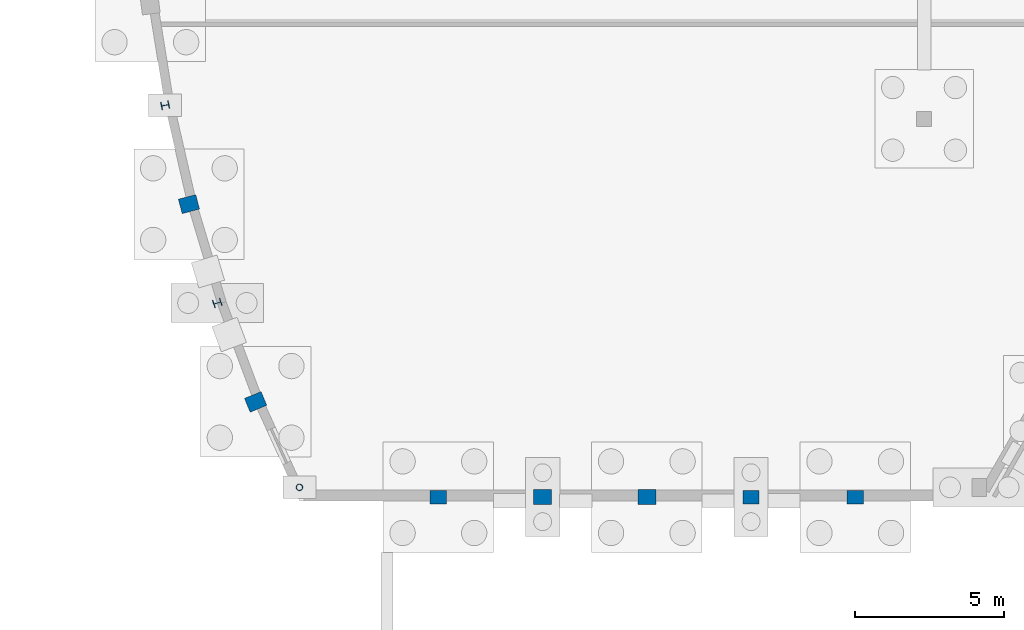
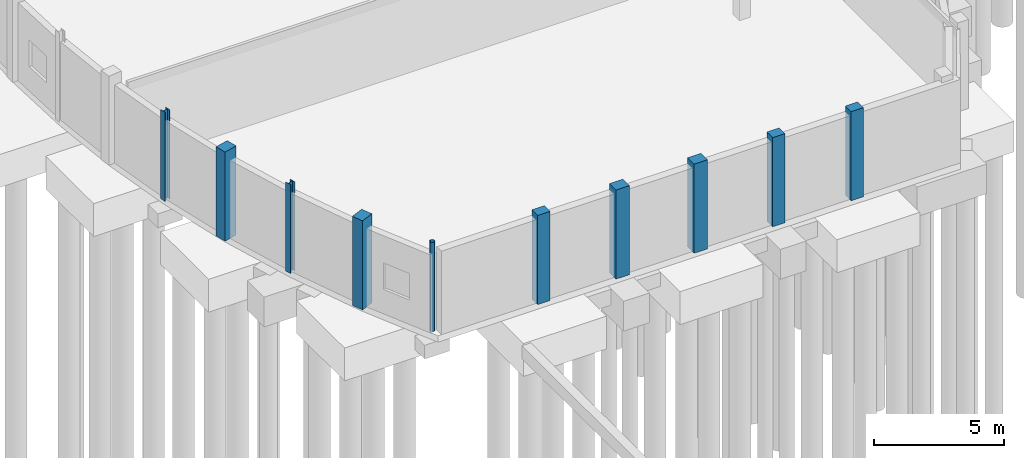
# One storey, part 12 of 93: 10 columns.
"""IFC4 building model written with IfcOpenShell, lengths in metres."""

from ifc_helpers import new_model, si_unit, direction, frame, origin, origin_2d, place, context, subcontext, project, spatial, rectangle, hollow_circle, i_section, extrude, material, material_profile, profile_set, type_object, element, save


model = new_model("IFC4")

# Units and contexts
model_context = context("Model", 3, precision=1e-05, world=origin(), true_north=direction((0.0, 1.0)))
body_context = subcontext(model_context, "Body", "Model", "MODEL_VIEW")
ifc_project = project(units=[si_unit("LENGTHUNIT", "METRE"), si_unit("AREAUNIT", "SQUARE_METRE"), si_unit("VOLUMEUNIT", "CUBIC_METRE"), si_unit("PLANEANGLEUNIT", "RADIAN"), si_unit("MASSUNIT", "GRAM", prefix="KILO")], contexts=[model_context])

# Site, building, storey
site_placement = place(None, origin())
site = spatial("IfcSite", under=ifc_project, at=site_placement, CompositionType="ELEMENT")
building_placement = place(site_placement, origin())
building = spatial("IfcBuilding", under=site, at=building_placement, Name="Kelanivale Promenade Academy", CompositionType="ELEMENT")
storey_placement = place(building_placement, origin())
storey = spatial("IfcBuildingStorey", under=building, at=storey_placement, Name="L00", CompositionType="ELEMENT", Elevation=0.0)

# Columns
ifc_material_1 = material(Name="Concrete C40/50", Category="concrete")
ifc_material_profile_1 = material_profile(ifc_material_1, rectangle(XDim=0.449951171875, YDim=0.550048828125, at=origin_2d()), Name="RC-PIL 450x550")
ifc_profile_set_1 = profile_set([ifc_material_profile_1], Name="Concrete C40/50")
column_type_1 = type_object("IfcColumnType", Name="PL-17 RC-PIL 450x550", PredefinedType="PILASTER", material=ifc_profile_set_1)
for number, where, z_axis, x_axis, name in (
    (1, (12.52001953125, 33.1201171875, 0.0), (0.0, 0.0, 1.0), (0.0, 1.0, 0.0), "Column PL-17 at (12.5, 33.1) L00"),
    (2, (22.9990234375, 33.1201171875, 0.0), (0.0, 0.0, 1.0), (0.0, 1.0, 0.0), "Column PL-17 at (23.0, 33.1) L00"),
    (3, (26.491943359375, 33.1201171875, 0.0), (0.0, 0.0, 1.0), (0.0, 1.0, 0.0), "Column PL-17 at (26.5, 33.1) L00"),
):
    element("IfcColumn", number, at=place(storey_placement, frame(where, z_axis=z_axis, x_axis=x_axis)), inside=storey, type_object=column_type_1, Name=name, PredefinedType="PILASTER", context=body_context, shape_type="SweptSolid", body=[
        extrude(rectangle(XDim=0.449951171875, YDim=0.550048828125, at=origin_2d()), origin(), (0.0, 0.0, 1.0), 4.199951171875),
    ])
ifc_material_profile_2 = material_profile(ifc_material_1, rectangle(XDim=0.5, YDim=0.60009765625, at=origin_2d()), Name="RC-PIL 500x600")
ifc_profile_set_2 = profile_set([ifc_material_profile_2], Name="Concrete C40/50")
column_type_2 = type_object("IfcColumnType", Name="PL-18 RC-PIL 500x600", PredefinedType="PILASTER", material=ifc_profile_set_2)
for number, where, z_axis, x_axis, name in (
    (4, (4.157958984375, 42.943115234375, 0.0), (0.0, 0.0, 1.0), (-0.2549394954, 0.966957007154, 0.0), "Column PL-18 at (4.2, 42.9) L00"),
    (5, (6.39306640625, 36.31396484375, 0.0), (0.0, 0.0, 1.0), (-0.382360914263, 0.92401305794, 0.0), "Column PL-18 at (6.4, 36.3) L00"),
    (6, (16.012939453125, 33.1201171875, 0.0), (0.0, 0.0, 1.0), (0.0, 1.0, 0.0), "Column PL-18 at (16.0, 33.1) L00"),
    (7, (19.506103515625, 33.1201171875, 0.0), (0.0, 0.0, 1.0), (0.0, 1.0, 0.0), "Column PL-18 at (19.5, 33.1) L00"),
):
    element("IfcColumn", number, at=place(storey_placement, frame(where, z_axis=z_axis, x_axis=x_axis)), inside=storey, type_object=column_type_2, Name=name, PredefinedType="PILASTER", context=body_context, shape_type="SweptSolid", body=[
        extrude(rectangle(XDim=0.5, YDim=0.60009765625, at=origin_2d()), origin(), (0.0, 0.0, 1.0), 4.199951171875),
    ])
ifc_material_2 = material(Name="Steel S355", Category="steel")
ifc_material_profile_3 = material_profile(ifc_material_2, i_section(OverallWidth=0.25634765625, OverallDepth=0.26025390625, WebThickness=0.01025390625, FlangeThickness=0.017333984375, FilletRadius=0.0126953125, at=origin_2d()), Name="UC 254x254x89")
ifc_profile_set_3 = profile_set([ifc_material_profile_3], Name="Steel S355")
column_type_3 = type_object("IfcColumnType", Name="SC-03 UC 254x254x89", PredefinedType="COLUMN", material=ifc_profile_set_3)
for number, where, z_axis, x_axis, name in (
    (8, (3.35888671875, 46.257080078125, 0.0), (0.0, 0.0, 1.0), (-0.191151636272, 0.981560518741, 0.0), "Column SC-03 at (3.4, 46.3) L00"),
    (9, (5.111083984375, 39.62890625, 0.0), (0.0, 0.0, 1.0), (-0.318628456287, 0.947879690069, 0.0), "Column SC-03 at (5.1, 39.6) L00"),
):
    element("IfcColumn", number, at=place(storey_placement, frame(where, z_axis=z_axis, x_axis=x_axis)), inside=storey, type_object=column_type_3, Name=name, PredefinedType="COLUMN", context=body_context, shape_type="SweptSolid", body=[
        extrude(i_section(OverallWidth=0.25634765625, OverallDepth=0.26025390625, WebThickness=0.01025390625, FlangeThickness=0.017333984375, FilletRadius=0.0126953125, at=origin_2d()), origin(), (0.0, 0.0, 1.0), 4.199951171875),
    ])
ifc_material_profile_4 = material_profile(ifc_material_2, hollow_circle(Radius=0.109619140625, WallThickness=0.010009765625, at=origin_2d()), Name="CHS 219.1x10.0")
ifc_profile_set_4 = profile_set([ifc_material_profile_4], Name="Steel S355")
column_type_4 = type_object("IfcColumnType", Name="SC-06 CHS 219.1x10.0", PredefinedType="PILASTER", material=ifc_profile_set_4)
column_placement = place(storey_placement, frame((7.862060546875, 33.449951171875, 0.0), z_axis=(0.0, 0.0, 1.0), x_axis=(-0.44619781311, 0.894934361602, 0.0)))
element("IfcColumn", 10, at=column_placement, inside=storey, type_object=column_type_4, Name="Column SC-06 at (7.9, 33.5) L00", PredefinedType="PILASTER", context=body_context, shape_type="SweptSolid", body=[
    extrude(hollow_circle(Radius=0.109619140625, WallThickness=0.010009765625, at=origin_2d()), origin(), (0.0, 0.0, 1.0), 4.199951171875),
])

save(model, "model.ifc")
